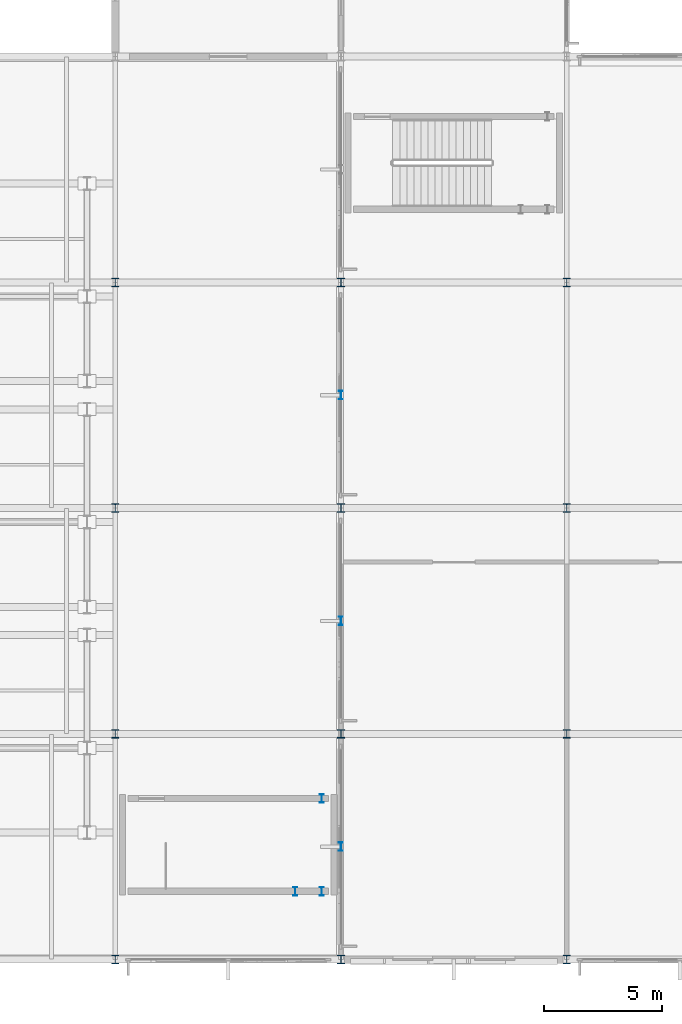
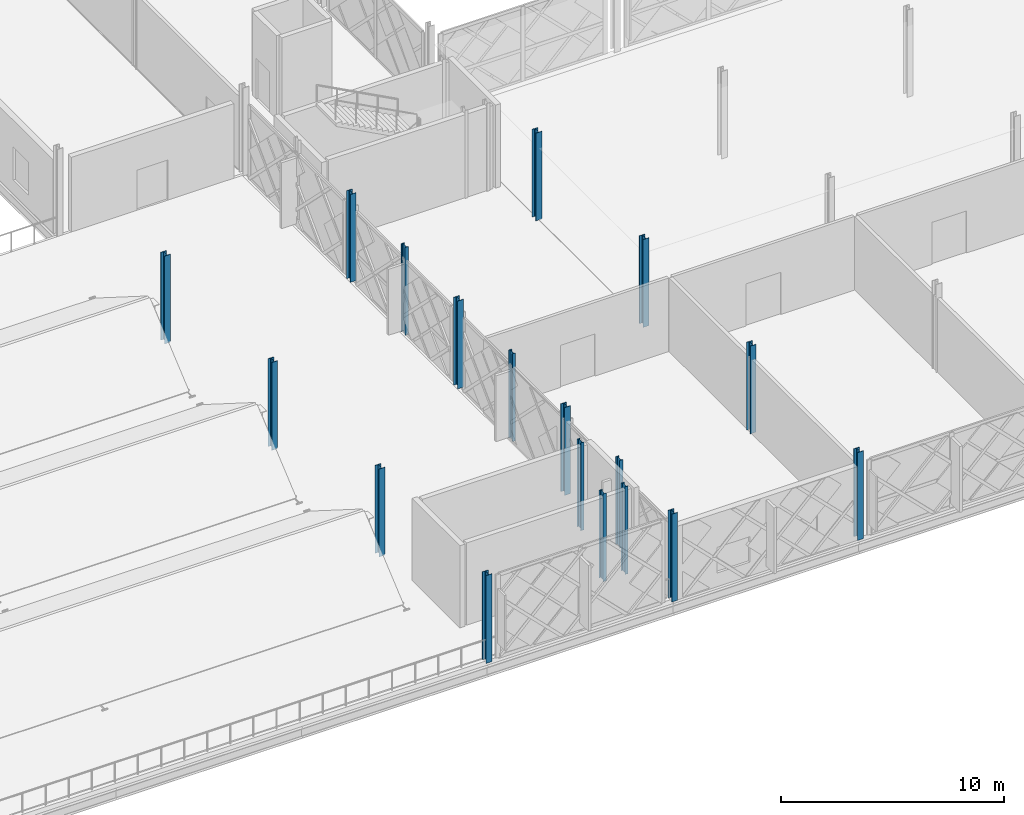
# One storey, part 1 of 77: 18 columns.
"""IFC4 building model written with IfcOpenShell, lengths in metres."""

from ifc_helpers import new_model, si_unit, direction, frame, origin, origin_2d, place, context, subcontext, project, spatial, i_section, extrude, material, material_profile, profile_set, type_object, element, save


model = new_model("IFC4")

# Units and contexts
model_context = context("Model", 3, precision=1e-05, world=origin(), true_north=direction((0.0, 1.0)))
body_context = subcontext(model_context, "Body", "Model", "MODEL_VIEW")
ifc_project = project(units=[si_unit("LENGTHUNIT", "METRE"), si_unit("AREAUNIT", "SQUARE_METRE"), si_unit("VOLUMEUNIT", "CUBIC_METRE"), si_unit("PLANEANGLEUNIT", "RADIAN"), si_unit("MASSUNIT", "GRAM", prefix="KILO")], contexts=[model_context])

# Site, building, storey
site_placement = place(None, origin())
site = spatial("IfcSite", under=ifc_project, at=site_placement, CompositionType="ELEMENT")
building_placement = place(site_placement, origin())
building = spatial("IfcBuilding", under=site, at=building_placement, Name="Zevrakil Square Congress Hotel", CompositionType="ELEMENT")
storey_placement = place(building_placement, frame((0.0, 0.0, 9.89990234375)))
storey = spatial("IfcBuildingStorey", under=building, at=storey_placement, Name="L03", CompositionType="ELEMENT", Elevation=9.89990234375)

# Columns
ifc_material_1 = material(Name="Steel S355", Category="steel")
ifc_material_profile_1 = material_profile(ifc_material_1, i_section(OverallWidth=0.300048828125, OverallDepth=0.360107421875, WebThickness=0.012451171875, FlangeThickness=0.0224609375, FilletRadius=0.027099609375, at=origin_2d()), Name="HEB 360")
ifc_profile_set_1 = profile_set([ifc_material_profile_1], Name="Steel S355")
column_type_1 = type_object("IfcColumnType", Name="COL-HEB360", PredefinedType="COLUMN", material=ifc_profile_set_1)
for number, where, z_axis, x_axis, name in (
    (1, (45.60009765625, 7.199951171875, 0.0), (0.0, 0.0, 1.0), (1.0, 0.0, 0.0), "L03 column C-068"),
    (2, (45.60009765625, 16.800048828125, 0.0), (0.0, 0.0, 1.0), (1.0, 0.0, 0.0), "L03 column C-069"),
    (3, (45.60009765625, 26.39990234375, 0.0), (0.0, 0.0, 1.0), (1.0, 0.0, 0.0), "L03 column C-070"),
    (4, (45.60009765625, 36.0, 0.0), (0.0, 0.0, 1.0), (1.0, 0.0, 0.0), "L03 column C-071"),
    (5, (55.199951171875, 7.199951171875, 0.0), (0.0, 0.0, 1.0), (1.0, 0.0, 0.0), "L03 column C-082"),
    (6, (55.199951171875, 16.800048828125, 0.0), (0.0, 0.0, 1.0), (1.0, 0.0, 0.0), "L03 column C-084"),
    (7, (55.199951171875, 26.39990234375, 0.0), (0.0, 0.0, 1.0), (1.0, 0.0, 0.0), "L03 column C-086"),
    (8, (55.199951171875, 36.0, 0.0), (0.0, 0.0, 1.0), (1.0, 0.0, 0.0), "L03 column C-088"),
    (9, (64.800048828125, 7.199951171875, 0.0), (0.0, 0.0, 1.0), (1.0, 0.0, 0.0), "L03 column C-100"),
    (10, (64.800048828125, 16.800048828125, 0.0), (0.0, 0.0, 1.0), (1.0, 0.0, 0.0), "L03 column C-101"),
    (11, (64.800048828125, 26.39990234375, 0.0), (0.0, 0.0, 1.0), (1.0, 0.0, 0.0), "L03 column C-102"),
    (12, (64.800048828125, 36.0, 0.0), (0.0, 0.0, 1.0), (1.0, 0.0, 0.0), "L03 column C-103"),
):
    element("IfcColumn", number, at=place(storey_placement, frame(where, z_axis=z_axis, x_axis=x_axis)), inside=storey, type_object=column_type_1, Name=name, PredefinedType="COLUMN", context=body_context, shape_type="SweptSolid", body=[
        extrude(i_section(OverallWidth=0.300048828125, OverallDepth=0.360107421875, WebThickness=0.012451171875, FlangeThickness=0.0224609375, FilletRadius=0.027099609375, at=origin_2d()), origin(), (0.0, 0.0, 1.0), 4.800048828125),
    ])
ifc_material_2 = material(Name="Steel S355", Category="steel")
ifc_material_profile_2 = material_profile(ifc_material_2, i_section(OverallWidth=0.169921875, OverallDepth=0.360107421875, WebThickness=0.008056640625, FlangeThickness=0.0126953125, FilletRadius=0.01806640625, at=origin_2d()), Name="IPE 360")
ifc_profile_set_2 = profile_set([ifc_material_profile_2], Name="Steel S355")
column_type_2 = type_object("IfcColumnType", Name="COL-PILASTER-SHS180", PredefinedType="PILASTER", material=ifc_profile_set_2)
for number, where, z_axis, x_axis, name in (
    (13, (55.199951171875, 12.0, 0.0), (0.0, 0.0, 1.0), (1.0, 0.0, 0.0), "L03 pilaster PL-01"),
    (14, (55.199951171875, 21.60009765625, 0.0), (0.0, 0.0, 1.0), (1.0, 0.0, 0.0), "L03 pilaster PL-02"),
    (15, (55.199951171875, 31.199951171875, 0.0), (0.0, 0.0, 1.0), (1.0, 0.0, 0.0), "L03 pilaster PL-03"),
    (16, (53.25, 10.10009765625, 0.0), (0.0, 0.0, 1.0), (1.0, 0.0, 0.0), "L03 ST12 stair shaft post 1"),
    (17, (54.3798828125, 10.10009765625, 0.0), (0.0, 0.0, 1.0), (1.0, 0.0, 0.0), "L03 ST12 stair shaft post 2"),
    (18, (54.3798828125, 14.050048828125, 0.0), (0.0, 0.0, 1.0), (1.0, 0.0, 0.0), "L03 ST12 stair shaft post 3"),
):
    element("IfcColumn", number, at=place(storey_placement, frame(where, z_axis=z_axis, x_axis=x_axis)), inside=storey, type_object=column_type_2, Name=name, PredefinedType="PILASTER", context=body_context, shape_type="SweptSolid", body=[
        extrude(i_section(OverallWidth=0.169921875, OverallDepth=0.360107421875, WebThickness=0.008056640625, FlangeThickness=0.0126953125, FilletRadius=0.01806640625, at=origin_2d()), origin(), (0.0, 0.0, 1.0), 4.800048828125),
    ])

save(model, "model.ifc")
